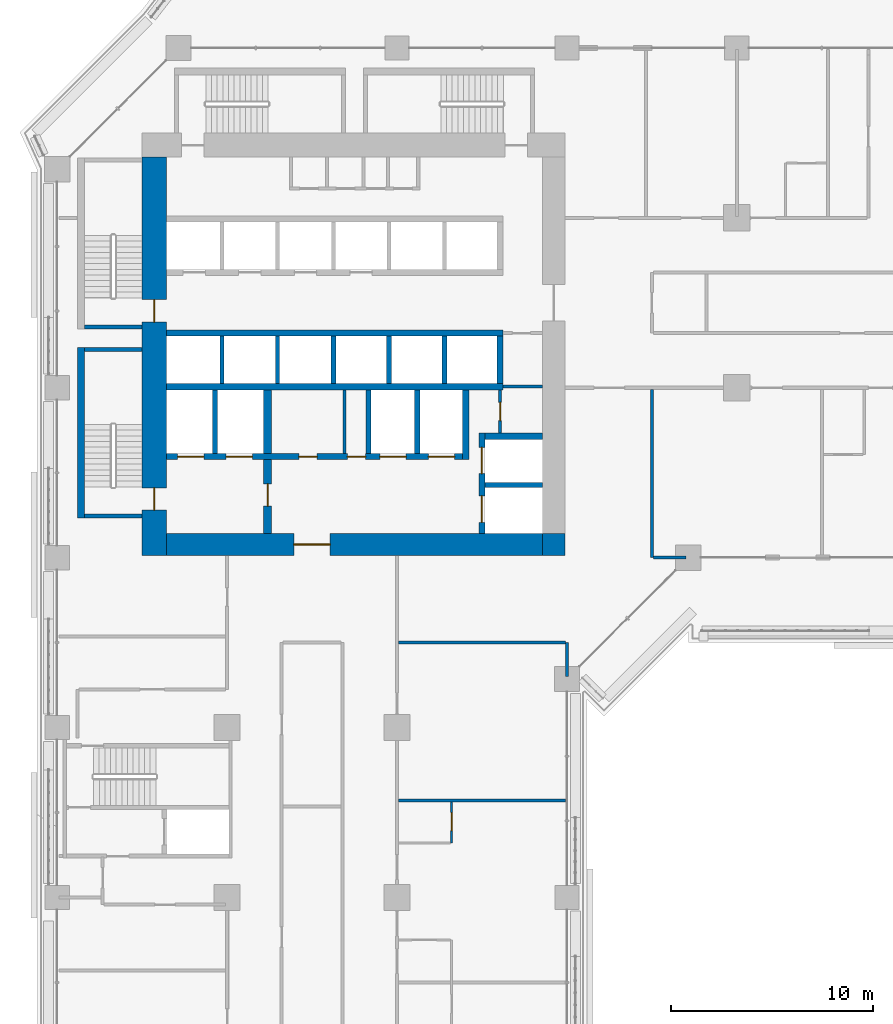
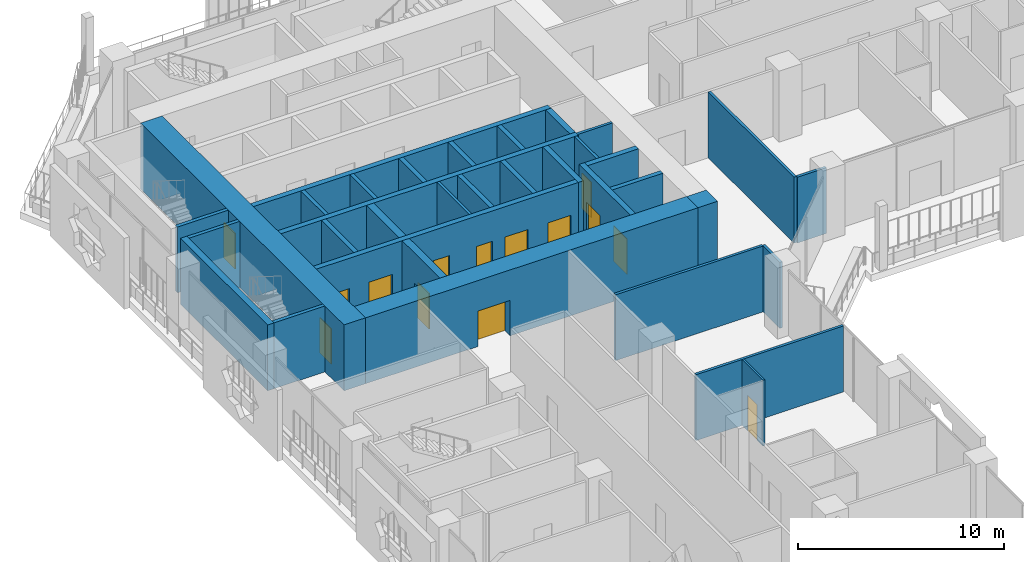
# One storey, part 15 of 28: 34 walls, 14 doors, 14 openings.
"""IFC4 building model written with IfcOpenShell, lengths in metres."""

from ifc_helpers import new_model, si_unit, direction, frame, frame_2d, origin, place, context, subcontext, project, spatial, rectangle, extrude, material, layer, layer_set, type_object, element, fill, save


model = new_model("IFC4")

# Units and contexts
model_context = context("Model", 3, precision=1e-05, world=origin(), true_north=direction((0.0, 1.0)))
body_context = subcontext(model_context, "Body", "Model", "MODEL_VIEW")
ifc_project = project(units=[si_unit("LENGTHUNIT", "METRE"), si_unit("AREAUNIT", "SQUARE_METRE"), si_unit("VOLUMEUNIT", "CUBIC_METRE"), si_unit("PLANEANGLEUNIT", "RADIAN"), si_unit("MASSUNIT", "GRAM", prefix="KILO")], contexts=[model_context])

# Site, building, storey
site_placement = place(None, origin())
site = spatial("IfcSite", under=ifc_project, at=site_placement, CompositionType="ELEMENT")
building_placement = place(site_placement, origin())
building = spatial("IfcBuilding", under=site, at=building_placement, Name="Kawkab Arch Medical Tower", CompositionType="ELEMENT")
storey_placement = place(building_placement, frame((0.0, 0.0, 72.800048828125)))
storey = spatial("IfcBuildingStorey", under=building, at=storey_placement, Name="L16", CompositionType="ELEMENT", Elevation=72.800048828125)

# Wall, opening, door
ifc_material_1 = material(Name="Concrete C60/75", Category="concrete")
ifc_layer_1 = layer(ifc_material_1, 1.10009765625)
ifc_layer_set_1 = layer_set([ifc_layer_1], Name="Concrete C60/75")
wall_type_1 = type_object("IfcWallType", Name="Core ring wall 1100 C60/75", PredefinedType="SHEAR", material=ifc_layer_set_1)
wall_1_placement = place(storey_placement, frame((5.39990234375, -24.550048828125, 0.0), z_axis=(0.0, 0.0, 1.0), x_axis=(1.0, 0.0, 0.0)))
wall_1 = element("IfcWall", 1, at=wall_1_placement, inside=storey, type_object=wall_type_1, Name="L16 core wall", PredefinedType="SHEAR", context=body_context, shape_type="SweptSolid", body=[
    extrude(rectangle(XDim=18.60009765625, YDim=1.10009765625, at=frame_2d((9.300048828125, 0.0))), origin(), (0.0, 0.0, 1.0), 3.89990234375),
])
opening_1_placement = place(wall_1_placement, frame((6.300048828125, 0.0, 0.0)))
opening_1 = element("IfcOpeningElement", 2, at=opening_1_placement, cuts=wall_1, Name="Opening PD", PredefinedType="OPENING", context=body_context, shape_type="SweptSolid", body=[
    extrude(rectangle(XDim=1.800048828125, YDim=2.10009765625, at=frame_2d((0.89990234375, 1.050048828125))), frame((0.0, 0.56005859375, 0.0), z_axis=(0.0, -1.0, 0.0), x_axis=(1.0, 0.0, 0.0)), (0.0, 0.0, 1.0), 1.1201171875),
])
ifc_material_2 = material(Name="Hollow metal fire door leaf")
door_type_1 = type_object("IfcDoorType", Name="Core entrance doors 1800", OperationType="DOUBLE_DOOR_SINGLE_SWING", PredefinedType="DOOR", material=ifc_material_2)
door_1_placement = place(opening_1_placement, origin())
door_1 = element("IfcDoor", 3, at=door_1_placement, inside=storey, type_object=door_type_1, Name="L16 South entrance doors", OperationType="DOUBLE_DOOR_SINGLE_SWING", OverallHeight=2.10009765625, OverallWidth=1.800048828125, PredefinedType="DOOR", context=body_context, shape_type="SweptSolid", body=[
    extrude(rectangle(XDim=1.800048828125, YDim=2.10009765625, at=frame_2d((0.89990234375, 1.050048828125))), frame((0.0, 0.02490234375, 0.0), z_axis=(0.0, -1.0, 0.0), x_axis=(1.0, 0.0, 0.0)), (0.0, 0.0, 1.0), 0.050048828125),
])
fill(opening_1, door_1)

# Wall
wall_2_placement = place(storey_placement, frame((24.550048828125, -25.10009765625, 0.0), z_axis=(0.0, 0.0, 1.0), x_axis=(0.0, 1.0, 0.0)))
element("IfcWall", 4, at=wall_2_placement, inside=storey, type_object=wall_type_1, Name="L16 core wall", PredefinedType="SHEAR", context=body_context, shape_type="SweptSolid", body=[
    extrude(rectangle(XDim=1.10009765625, YDim=1.10009765625, at=frame_2d((0.550048828125, 0.0))), origin(), (0.0, 0.0, 1.0), 3.89990234375),
])

# Wall, openings, doors
ifc_material_3 = material(Name="Concrete C60/75", Category="concrete")
ifc_layer_2 = layer(ifc_material_3, 1.199951171875)
ifc_layer_set_2 = layer_set([ifc_layer_2], Name="Concrete C60/75")
wall_type_2 = type_object("IfcWallType", Name="Core ring wall 1200 C60/75", PredefinedType="SHEAR", material=ifc_layer_set_2)
wall_3_placement = place(storey_placement, frame((4.800048828125, -25.10009765625, 0.0), z_axis=(0.0, 0.0, 1.0), x_axis=(0.0, 1.0, 0.0)))
wall_3 = element("IfcWall", 5, at=wall_3_placement, inside=storey, type_object=wall_type_2, Name="L16 core wall", PredefinedType="SHEAR", context=body_context, shape_type="SweptSolid", body=[
    extrude(rectangle(XDim=19.7001953125, YDim=1.199951171875, at=frame_2d((9.85009765625, 0.0))), origin(), (0.0, 0.0, 1.0), 3.89990234375),
])
opening_2_placement = place(wall_3_placement, frame((11.550048828125, 0.0, 0.0)))
opening_2 = element("IfcOpeningElement", 6, at=opening_2_placement, cuts=wall_3, Name="Opening SD", PredefinedType="OPENING", context=body_context, shape_type="SweptSolid", body=[
    extrude(rectangle(XDim=1.10009765625, YDim=2.10009765625, at=frame_2d((0.550048828125, 1.050048828125))), frame((0.0, 0.60986328125, 0.0), z_axis=(0.0, -1.0, 0.0), x_axis=(1.0, 0.0, 0.0)), (0.0, 0.0, 1.0), 1.219970703125),
])
opening_3_placement = place(wall_3_placement, frame((2.25, 0.0, 0.0)))
opening_3 = element("IfcOpeningElement", 7, at=opening_3_placement, cuts=wall_3, Name="Opening SD", PredefinedType="OPENING", context=body_context, shape_type="SweptSolid", body=[
    extrude(rectangle(XDim=1.10009765625, YDim=2.10009765625, at=frame_2d((0.550048828125, 1.050048828125))), frame((0.0, 0.60986328125, 0.0), z_axis=(0.0, -1.0, 0.0), x_axis=(1.0, 0.0, 0.0)), (0.0, 0.0, 1.0), 1.219970703125),
])
ifc_material_4 = material(Name="Hollow metal fire door leaf")
door_type_2 = type_object("IfcDoorType", Name="Exit stair door 1100", OperationType="SINGLE_SWING_LEFT", PredefinedType="DOOR", material=ifc_material_4)
door_2_placement = place(opening_2_placement, origin())
door_2 = element("IfcDoor", 8, at=door_2_placement, inside=storey, type_object=door_type_2, Name="L16 Exit stair ST1 door", OperationType="SINGLE_SWING_LEFT", OverallHeight=2.10009765625, OverallWidth=1.10009765625, PredefinedType="DOOR", context=body_context, shape_type="SweptSolid", body=[
    extrude(rectangle(XDim=1.10009765625, YDim=2.10009765625, at=frame_2d((0.550048828125, 1.050048828125))), frame((0.0, 0.02490234375, 0.0), z_axis=(0.0, -1.0, 0.0), x_axis=(1.0, 0.0, 0.0)), (0.0, 0.0, 1.0), 0.050048828125),
])
fill(opening_2, door_2)
door_3_placement = place(opening_3_placement, origin())
door_3 = element("IfcDoor", 9, at=door_3_placement, inside=storey, type_object=door_type_2, Name="L16 Exit stair ST2 door", OperationType="SINGLE_SWING_LEFT", OverallHeight=2.10009765625, OverallWidth=1.10009765625, PredefinedType="DOOR", context=body_context, shape_type="SweptSolid", body=[
    extrude(rectangle(XDim=1.10009765625, YDim=2.10009765625, at=frame_2d((0.550048828125, 1.050048828125))), frame((0.0, 0.02490234375, 0.0), z_axis=(0.0, -1.0, 0.0), x_axis=(1.0, 0.0, 0.0)), (0.0, 0.0, 1.0), 0.050048828125),
])
fill(opening_3, door_3)

# Wall, opening, door
ifc_material_5 = material(Name="Gypsum board on steel studs", Category="steel")
ifc_layer_3 = layer(ifc_material_5, 0.14990234375)
ifc_layer_set_3 = layer_set([ifc_layer_3], Name="Gypsum board on steel studs")
wall_type_3 = type_object("IfcWallType", Name="Core room partition 150", PredefinedType="PARTITIONING", material=ifc_layer_set_3)
wall_4_placement = place(storey_placement, frame((21.89990234375, -19.050048828125, 0.0), z_axis=(0.0, 0.0, 1.0), x_axis=(0.0, 1.0, 0.0)))
wall_4 = element("IfcWall", 10, at=wall_4_placement, inside=storey, type_object=wall_type_3, Name="L16 core room partition", PredefinedType="PARTITIONING", context=body_context, shape_type="SweptSolid", body=[
    extrude(rectangle(XDim=2.150146484375, YDim=0.14990234375, at=frame_2d((1.0751953125, 0.0))), origin(), (0.0, 0.0, 1.0), 3.89990234375),
])
opening_4_placement = place(wall_4_placement, frame((0.625, 0.0, 0.0)))
opening_4 = element("IfcOpeningElement", 11, at=opening_4_placement, cuts=wall_4, Name="Opening RD", PredefinedType="OPENING", context=body_context, shape_type="SweptSolid", body=[
    extrude(rectangle(XDim=0.89990234375, YDim=2.10009765625, at=frame_2d((0.449951171875, 1.050048828125))), frame((0.0, 0.0849609375, 0.0), z_axis=(0.0, -1.0, 0.0), x_axis=(1.0, 0.0, 0.0)), (0.0, 0.0, 1.0), 0.169921875),
])
ifc_material_6 = material(Name="Hollow metal fire door leaf")
door_type_3 = type_object("IfcDoorType", Name="Core room door 900", OperationType="SINGLE_SWING_LEFT", PredefinedType="DOOR", material=ifc_material_6)
door_4_placement = place(opening_4_placement, origin())
door_4 = element("IfcDoor", 12, at=door_4_placement, inside=storey, type_object=door_type_3, Name="L16 Staff WC door", OperationType="SINGLE_SWING_LEFT", OverallHeight=2.10009765625, OverallWidth=0.89990234375, PredefinedType="DOOR", context=body_context, shape_type="SweptSolid", body=[
    extrude(rectangle(XDim=0.89990234375, YDim=2.10009765625, at=frame_2d((0.449951171875, 1.050048828125))), frame((0.0, 0.02490234375, 0.0), z_axis=(0.0, -1.0, 0.0), x_axis=(1.0, 0.0, 0.0)), (0.0, 0.0, 1.0), 0.050048828125),
])
fill(opening_4, door_4)

# Walls
wall_5_placement = place(storey_placement, frame((22.050048828125, -16.75, 0.0), z_axis=(0.0, 0.0, 1.0), x_axis=(1.0, 0.0, 0.0)))
element("IfcWall", 13, at=wall_5_placement, inside=storey, type_object=wall_type_3, Name="L16 core room partition", PredefinedType="PARTITIONING", context=body_context, shape_type="SweptSolid", body=[
    extrude(rectangle(XDim=1.949951171875, YDim=0.14990234375, at=frame_2d((0.97509765625, 0.0))), origin(), (0.0, 0.0, 1.0), 3.89990234375),
])
wall_6_placement = place(storey_placement, frame((14.199951171875, -20.050048828125, 0.0), z_axis=(0.0, 0.0, 1.0), x_axis=(0.0, 1.0, 0.0)))
element("IfcWall", 14, at=wall_6_placement, inside=storey, type_object=wall_type_3, Name="L16 core room partition", PredefinedType="PARTITIONING", context=body_context, shape_type="SweptSolid", body=[
    extrude(rectangle(XDim=3.150146484375, YDim=0.14990234375, at=frame_2d((1.5751953125, 0.0))), origin(), (0.0, 0.0, 1.0), 3.89990234375),
])
ifc_material_7 = material(Name="Concrete C60/75", Category="concrete")
ifc_layer_4 = layer(ifc_material_7, 0.25)
ifc_layer_set_4 = layer_set([ifc_layer_4], Name="Concrete C60/75")
wall_type_4 = type_object("IfcWallType", Name="Core shear wall 250 C60/75", PredefinedType="SHEAR", material=ifc_layer_set_4)
wall_7_placement = place(storey_placement, frame((21.14990234375, -21.60009765625, 0.0), z_axis=(0.0, 0.0, 1.0), x_axis=(1.0, 0.0, 0.0)))
element("IfcWall", 15, at=wall_7_placement, inside=storey, type_object=wall_type_4, Name="L16 core shear wall", PredefinedType="SHEAR", context=body_context, shape_type="SweptSolid", body=[
    extrude(rectangle(XDim=2.85009765625, YDim=0.25, at=frame_2d((1.425048828125, 0.0))), origin(), (0.0, 0.0, 1.0), 3.89990234375),
])
for number, where, z_axis, x_axis, name in (
    (16, (7.800048828125, -20.050048828125, 0.0), (0.0, 0.0, 1.0), (0.0, 1.0, 0.0), "L16 core shear wall"),
    (17, (15.39990234375, -20.050048828125, 0.0), (0.0, 0.0, 1.0), (0.0, 1.0, 0.0), "L16 core shear wall"),
    (18, (17.800048828125, -20.050048828125, 0.0), (0.0, 0.0, 1.0), (0.0, 1.0, 0.0), "L16 core shear wall"),
):
    element("IfcWall", number, at=place(storey_placement, frame(where, z_axis=z_axis, x_axis=x_axis)), inside=storey, type_object=wall_type_4, Name=name, PredefinedType="SHEAR", context=body_context, shape_type="SweptSolid", body=[
        extrude(rectangle(XDim=3.150146484375, YDim=0.25, at=frame_2d((1.5751953125, 0.0))), origin(), (0.0, 0.0, 1.0), 3.89990234375),
    ])
for number, where, z_axis, x_axis, name in (
    (19, (13.64990234375, -16.60009765625, 0.0), (0.0, 0.0, 1.0), (0.0, 1.0, 0.0), "L16 core shear wall"),
    (20, (16.39990234375, -16.60009765625, 0.0), (0.0, 0.0, 1.0), (0.0, 1.0, 0.0), "L16 core shear wall"),
    (21, (19.14990234375, -16.60009765625, 0.0), (0.0, 0.0, 1.0), (0.0, 1.0, 0.0), "L16 core shear wall"),
):
    element("IfcWall", number, at=place(storey_placement, frame(where, z_axis=z_axis, x_axis=x_axis)), inside=storey, type_object=wall_type_4, Name=name, PredefinedType="SHEAR", context=body_context, shape_type="SweptSolid", body=[
        extrude(rectangle(XDim=2.35009765625, YDim=0.25, at=frame_2d((1.175048828125, 0.0))), origin(), (0.0, 0.0, 1.0), 3.89990234375),
    ])
ifc_material_8 = material(Name="Concrete C60/75", Category="concrete")
ifc_layer_5 = layer(ifc_material_8, 0.300048828125)
ifc_layer_set_5 = layer_set([ifc_layer_5], Name="Concrete C60/75")
wall_type_5 = type_object("IfcWallType", Name="Core shear wall 300 C60/75", PredefinedType="SHEAR", material=ifc_layer_set_5)
for number, where, z_axis, x_axis, name in (
    (22, (5.39990234375, -14.10009765625, 0.0), (0.0, 0.0, 1.0), (1.0, 0.0, 0.0), "L16 core shear wall"),
    (23, (5.39990234375, -16.75, 0.0), (0.0, 0.0, 1.0), (1.0, 0.0, 0.0), "L16 core shear wall"),
):
    element("IfcWall", number, at=place(storey_placement, frame(where, z_axis=z_axis, x_axis=x_axis)), inside=storey, type_object=wall_type_5, Name=name, PredefinedType="SHEAR", context=body_context, shape_type="SweptSolid", body=[
        extrude(rectangle(XDim=16.650146484375, YDim=0.300048828125, at=frame_2d((8.3251953125, 0.0))), origin(), (0.0, 0.0, 1.0), 3.89990234375),
    ])

# Wall, openings, doors
wall_8_placement = place(storey_placement, frame((5.39990234375, -20.199951171875, 0.0), z_axis=(0.0, 0.0, 1.0), x_axis=(1.0, 0.0, 0.0)))
wall_8 = element("IfcWall", 24, at=wall_8_placement, inside=storey, type_object=wall_type_5, Name="L16 core shear wall", PredefinedType="SHEAR", context=body_context, shape_type="SweptSolid", body=[
    extrude(rectangle(XDim=14.650146484375, YDim=0.300048828125, at=frame_2d((7.3251953125, 0.0))), origin(), (0.0, 0.0, 1.0), 3.89990234375),
])
opening_5_placement = place(wall_8_placement, frame((10.550048828125, 0.0, 0.0)))
opening_5 = element("IfcOpeningElement", 25, at=opening_5_placement, cuts=wall_8, Name="Opening LD2", PredefinedType="OPENING", context=body_context, shape_type="SweptSolid", body=[
    extrude(rectangle(XDim=1.300048828125, YDim=2.10009765625, at=frame_2d((0.64990234375, 1.050048828125))), frame((0.0, 0.159912109375, 0.0), z_axis=(0.0, -1.0, 0.0), x_axis=(1.0, 0.0, 0.0)), (0.0, 0.0, 1.0), 0.320068359375),
])
opening_6_placement = place(wall_8_placement, frame((12.949951171875, 0.0, 0.0)))
opening_6 = element("IfcOpeningElement", 26, at=opening_6_placement, cuts=wall_8, Name="Opening LD2", PredefinedType="OPENING", context=body_context, shape_type="SweptSolid", body=[
    extrude(rectangle(XDim=1.300048828125, YDim=2.10009765625, at=frame_2d((0.64990234375, 1.050048828125))), frame((0.0, 0.159912109375, 0.0), z_axis=(0.0, -1.0, 0.0), x_axis=(1.0, 0.0, 0.0)), (0.0, 0.0, 1.0), 0.320068359375),
])
opening_7_placement = place(wall_8_placement, frame((0.550048828125, 0.0, 0.0)))
opening_7 = element("IfcOpeningElement", 27, at=opening_7_placement, cuts=wall_8, Name="Opening LD2", PredefinedType="OPENING", context=body_context, shape_type="SweptSolid", body=[
    extrude(rectangle(XDim=1.300048828125, YDim=2.10009765625, at=frame_2d((0.64990234375, 1.050048828125))), frame((0.0, 0.159912109375, 0.0), z_axis=(0.0, -1.0, 0.0), x_axis=(1.0, 0.0, 0.0)), (0.0, 0.0, 1.0), 0.320068359375),
])
opening_8_placement = place(wall_8_placement, frame((2.949951171875, 0.0, 0.0)))
opening_8 = element("IfcOpeningElement", 28, at=opening_8_placement, cuts=wall_8, Name="Opening LD2", PredefinedType="OPENING", context=body_context, shape_type="SweptSolid", body=[
    extrude(rectangle(XDim=1.300048828125, YDim=2.10009765625, at=frame_2d((0.64990234375, 1.050048828125))), frame((0.0, 0.159912109375, 0.0), z_axis=(0.0, -1.0, 0.0), x_axis=(1.0, 0.0, 0.0)), (0.0, 0.0, 1.0), 0.320068359375),
])
opening_9_placement = place(wall_8_placement, frame((6.550048828125, 0.0, 0.0)))
opening_9 = element("IfcOpeningElement", 29, at=opening_9_placement, cuts=wall_8, Name="Opening RD", PredefinedType="OPENING", context=body_context, shape_type="SweptSolid", body=[
    extrude(rectangle(XDim=0.89990234375, YDim=2.10009765625, at=frame_2d((0.449951171875, 1.050048828125))), frame((0.0, 0.159912109375, 0.0), z_axis=(0.0, -1.0, 0.0), x_axis=(1.0, 0.0, 0.0)), (0.0, 0.0, 1.0), 0.320068359375),
])
opening_10_placement = place(wall_8_placement, frame((8.949951171875, 0.0, 0.0)))
opening_10 = element("IfcOpeningElement", 30, at=opening_10_placement, cuts=wall_8, Name="Opening RD", PredefinedType="OPENING", context=body_context, shape_type="SweptSolid", body=[
    extrude(rectangle(XDim=0.89990234375, YDim=2.10009765625, at=frame_2d((0.449951171875, 1.050048828125))), frame((0.0, 0.159912109375, 0.0), z_axis=(0.0, -1.0, 0.0), x_axis=(1.0, 0.0, 0.0)), (0.0, 0.0, 1.0), 0.320068359375),
])
door_5_placement = place(opening_9_placement, origin())
door_5 = element("IfcDoor", 31, at=door_5_placement, inside=storey, type_object=door_type_3, Name="L16 Medication store door", OperationType="SINGLE_SWING_LEFT", OverallHeight=2.10009765625, OverallWidth=0.89990234375, PredefinedType="DOOR", context=body_context, shape_type="SweptSolid", body=[
    extrude(rectangle(XDim=0.89990234375, YDim=2.10009765625, at=frame_2d((0.449951171875, 1.050048828125))), frame((0.0, 0.02490234375, 0.0), z_axis=(0.0, -1.0, 0.0), x_axis=(1.0, 0.0, 0.0)), (0.0, 0.0, 1.0), 0.050048828125),
])
fill(opening_9, door_5)
door_6_placement = place(opening_10_placement, origin())
door_6 = element("IfcDoor", 32, at=door_6_placement, inside=storey, type_object=door_type_3, Name="L16 Clean utility room door", OperationType="SINGLE_SWING_LEFT", OverallHeight=2.10009765625, OverallWidth=0.89990234375, PredefinedType="DOOR", context=body_context, shape_type="SweptSolid", body=[
    extrude(rectangle(XDim=0.89990234375, YDim=2.10009765625, at=frame_2d((0.449951171875, 1.050048828125))), frame((0.0, 0.02490234375, 0.0), z_axis=(0.0, -1.0, 0.0), x_axis=(1.0, 0.0, 0.0)), (0.0, 0.0, 1.0), 0.050048828125),
])
fill(opening_10, door_6)
ifc_material_9 = material(Name="Stainless steel lift door leaf", Category="steel")
door_type_4 = type_object("IfcDoorType", Name="Lift landing door 1300", OperationType="DOUBLE_DOOR_SLIDING", PredefinedType="DOOR", material=ifc_material_9)
door_7_placement = place(opening_5_placement, origin())
door_7 = element("IfcDoor", 33, at=door_7_placement, inside=storey, type_object=door_type_4, Name="L16 Lift landing door BD3", OperationType="DOUBLE_DOOR_SLIDING", OverallHeight=2.10009765625, OverallWidth=1.300048828125, PredefinedType="DOOR", context=body_context, shape_type="SweptSolid", body=[
    extrude(rectangle(XDim=1.300048828125, YDim=2.10009765625, at=frame_2d((0.64990234375, 1.050048828125))), frame((0.0, 0.02490234375, 0.0), z_axis=(0.0, -1.0, 0.0), x_axis=(1.0, 0.0, 0.0)), (0.0, 0.0, 1.0), 0.050048828125),
])
fill(opening_5, door_7)
door_8_placement = place(opening_6_placement, origin())
door_8 = element("IfcDoor", 34, at=door_8_placement, inside=storey, type_object=door_type_4, Name="L16 Lift landing door BD4", OperationType="DOUBLE_DOOR_SLIDING", OverallHeight=2.10009765625, OverallWidth=1.300048828125, PredefinedType="DOOR", context=body_context, shape_type="SweptSolid", body=[
    extrude(rectangle(XDim=1.300048828125, YDim=2.10009765625, at=frame_2d((0.64990234375, 1.050048828125))), frame((0.0, 0.02490234375, 0.0), z_axis=(0.0, -1.0, 0.0), x_axis=(1.0, 0.0, 0.0)), (0.0, 0.0, 1.0), 0.050048828125),
])
fill(opening_6, door_8)
door_9_placement = place(opening_7_placement, origin())
door_9 = element("IfcDoor", 35, at=door_9_placement, inside=storey, type_object=door_type_4, Name="L16 Lift landing door FL1", OperationType="DOUBLE_DOOR_SLIDING", OverallHeight=2.10009765625, OverallWidth=1.300048828125, PredefinedType="DOOR", context=body_context, shape_type="SweptSolid", body=[
    extrude(rectangle(XDim=1.300048828125, YDim=2.10009765625, at=frame_2d((0.64990234375, 1.050048828125))), frame((0.0, 0.02490234375, 0.0), z_axis=(0.0, -1.0, 0.0), x_axis=(1.0, 0.0, 0.0)), (0.0, 0.0, 1.0), 0.050048828125),
])
fill(opening_7, door_9)
door_10_placement = place(opening_8_placement, origin())
door_10 = element("IfcDoor", 36, at=door_10_placement, inside=storey, type_object=door_type_4, Name="L16 Lift landing door FL2", OperationType="DOUBLE_DOOR_SLIDING", OverallHeight=2.10009765625, OverallWidth=1.300048828125, PredefinedType="DOOR", context=body_context, shape_type="SweptSolid", body=[
    extrude(rectangle(XDim=1.300048828125, YDim=2.10009765625, at=frame_2d((0.64990234375, 1.050048828125))), frame((0.0, 0.02490234375, 0.0), z_axis=(0.0, -1.0, 0.0), x_axis=(1.0, 0.0, 0.0)), (0.0, 0.0, 1.0), 0.050048828125),
])
fill(opening_8, door_10)

# Walls
wall_9_placement = place(storey_placement, frame((20.199951171875, -20.35009765625, 0.0), z_axis=(0.0, 0.0, 1.0), x_axis=(0.0, 1.0, 0.0)))
element("IfcWall", 37, at=wall_9_placement, inside=storey, type_object=wall_type_5, Name="L16 core shear wall", PredefinedType="SHEAR", context=body_context, shape_type="SweptSolid", body=[
    extrude(rectangle(XDim=3.4501953125, YDim=0.300048828125, at=frame_2d((1.72509765625, 0.0))), origin(), (0.0, 0.0, 1.0), 3.89990234375),
])
wall_10_placement = place(storey_placement, frame((21.89990234375, -16.60009765625, 0.0), z_axis=(0.0, 0.0, 1.0), x_axis=(0.0, 1.0, 0.0)))
element("IfcWall", 38, at=wall_10_placement, inside=storey, type_object=wall_type_5, Name="L16 core shear wall", PredefinedType="SHEAR", context=body_context, shape_type="SweptSolid", body=[
    extrude(rectangle(XDim=2.35009765625, YDim=0.300048828125, at=frame_2d((1.175048828125, 0.0))), origin(), (0.0, 0.0, 1.0), 3.89990234375),
])
wall_11_placement = place(storey_placement, frame((21.14990234375, -19.199951171875, 0.0), z_axis=(0.0, 0.0, 1.0), x_axis=(1.0, 0.0, 0.0)))
element("IfcWall", 39, at=wall_11_placement, inside=storey, type_object=wall_type_5, Name="L16 core shear wall", PredefinedType="SHEAR", context=body_context, shape_type="SweptSolid", body=[
    extrude(rectangle(XDim=2.85009765625, YDim=0.300048828125, at=frame_2d((1.425048828125, 0.0))), origin(), (0.0, 0.0, 1.0), 3.89990234375),
])

# Wall, openings, doors
wall_12_placement = place(storey_placement, frame((21.0, -24.0, 0.0), z_axis=(0.0, 0.0, 1.0), x_axis=(0.0, 1.0, 0.0)))
wall_12 = element("IfcWall", 40, at=wall_12_placement, inside=storey, type_object=wall_type_5, Name="L16 core shear wall", PredefinedType="SHEAR", context=body_context, shape_type="SweptSolid", body=[
    extrude(rectangle(XDim=4.949951171875, YDim=0.300048828125, at=frame_2d((2.47509765625, 0.0))), origin(), (0.0, 0.0, 1.0), 3.89990234375),
])
opening_11_placement = place(wall_12_placement, frame((2.949951171875, 0.0, 0.0)))
opening_11 = element("IfcOpeningElement", 41, at=opening_11_placement, cuts=wall_12, Name="Opening LD2", PredefinedType="OPENING", context=body_context, shape_type="SweptSolid", body=[
    extrude(rectangle(XDim=1.300048828125, YDim=2.10009765625, at=frame_2d((0.64990234375, 1.050048828125))), frame((0.0, 0.159912109375, 0.0), z_axis=(0.0, -1.0, 0.0), x_axis=(1.0, 0.0, 0.0)), (0.0, 0.0, 1.0), 0.320068359375),
])
opening_12_placement = place(wall_12_placement, frame((0.550048828125, 0.0, 0.0)))
opening_12 = element("IfcOpeningElement", 42, at=opening_12_placement, cuts=wall_12, Name="Opening LD2", PredefinedType="OPENING", context=body_context, shape_type="SweptSolid", body=[
    extrude(rectangle(XDim=1.300048828125, YDim=2.10009765625, at=frame_2d((0.64990234375, 1.050048828125))), frame((0.0, 0.159912109375, 0.0), z_axis=(0.0, -1.0, 0.0), x_axis=(1.0, 0.0, 0.0)), (0.0, 0.0, 1.0), 0.320068359375),
])
door_11_placement = place(opening_11_placement, origin())
door_11 = element("IfcDoor", 43, at=door_11_placement, inside=storey, type_object=door_type_4, Name="L16 Lift landing door BD1", OperationType="DOUBLE_DOOR_SLIDING", OverallHeight=2.10009765625, OverallWidth=1.300048828125, PredefinedType="DOOR", context=body_context, shape_type="SweptSolid", body=[
    extrude(rectangle(XDim=1.300048828125, YDim=2.10009765625, at=frame_2d((0.64990234375, 1.050048828125))), frame((0.0, 0.02490234375, 0.0), z_axis=(0.0, -1.0, 0.0), x_axis=(1.0, 0.0, 0.0)), (0.0, 0.0, 1.0), 0.050048828125),
])
fill(opening_11, door_11)
door_12_placement = place(opening_12_placement, origin())
door_12 = element("IfcDoor", 44, at=door_12_placement, inside=storey, type_object=door_type_4, Name="L16 Lift landing door BD2", OperationType="DOUBLE_DOOR_SLIDING", OverallHeight=2.10009765625, OverallWidth=1.300048828125, PredefinedType="DOOR", context=body_context, shape_type="SweptSolid", body=[
    extrude(rectangle(XDim=1.300048828125, YDim=2.10009765625, at=frame_2d((0.64990234375, 1.050048828125))), frame((0.0, 0.02490234375, 0.0), z_axis=(0.0, -1.0, 0.0), x_axis=(1.0, 0.0, 0.0)), (0.0, 0.0, 1.0), 0.050048828125),
])
fill(opening_12, door_12)

# Wall, opening, door
ifc_material_10 = material(Name="Concrete C60/75", Category="concrete")
ifc_layer_6 = layer(ifc_material_10, 0.39990234375)
ifc_layer_set_6 = layer_set([ifc_layer_6], Name="Concrete C60/75")
wall_type_6 = type_object("IfcWallType", Name="Core shear wall 400 C60/75", PredefinedType="SHEAR", material=ifc_layer_set_6)
wall_13_placement = place(storey_placement, frame((10.39990234375, -24.0, 0.0), z_axis=(0.0, 0.0, 1.0), x_axis=(0.0, 1.0, 0.0)))
wall_13 = element("IfcWall", 45, at=wall_13_placement, inside=storey, type_object=wall_type_6, Name="L16 core shear wall", PredefinedType="SHEAR", context=body_context, shape_type="SweptSolid", body=[
    extrude(rectangle(XDim=3.64990234375, YDim=0.39990234375, at=frame_2d((1.824951171875, 0.0))), origin(), (0.0, 0.0, 1.0), 3.89990234375),
])
opening_13_placement = place(wall_13_placement, frame((1.35009765625, 0.0, 0.0)))
opening_13 = element("IfcOpeningElement", 46, at=opening_13_placement, cuts=wall_13, Name="Opening FD", PredefinedType="OPENING", context=body_context, shape_type="SweptSolid", body=[
    extrude(rectangle(XDim=1.10009765625, YDim=2.10009765625, at=frame_2d((0.550048828125, 1.050048828125))), frame((0.0, 0.2099609375, 0.0), z_axis=(0.0, -1.0, 0.0), x_axis=(1.0, 0.0, 0.0)), (0.0, 0.0, 1.0), 0.419921875),
])
ifc_material_11 = material(Name="Hollow metal fire door leaf")
door_type_5 = type_object("IfcDoorType", Name="Firefighting lobby door 1100", OperationType="SINGLE_SWING_LEFT", PredefinedType="DOOR", material=ifc_material_11)
door_13_placement = place(opening_13_placement, origin())
door_13 = element("IfcDoor", 47, at=door_13_placement, inside=storey, type_object=door_type_5, Name="L16 Firefighting lobby door", OperationType="SINGLE_SWING_LEFT", OverallHeight=2.10009765625, OverallWidth=1.10009765625, PredefinedType="DOOR", context=body_context, shape_type="SweptSolid", body=[
    extrude(rectangle(XDim=1.10009765625, YDim=2.10009765625, at=frame_2d((0.550048828125, 1.050048828125))), frame((0.0, 0.02490234375, 0.0), z_axis=(0.0, -1.0, 0.0), x_axis=(1.0, 0.0, 0.0)), (0.0, 0.0, 1.0), 0.050048828125),
])
fill(opening_13, door_13)

# Walls
wall_14_placement = place(storey_placement, frame((10.39990234375, -20.050048828125, 0.0), z_axis=(0.0, 0.0, 1.0), x_axis=(0.0, 1.0, 0.0)))
element("IfcWall", 48, at=wall_14_placement, inside=storey, type_object=wall_type_6, Name="L16 core shear wall", PredefinedType="SHEAR", context=body_context, shape_type="SweptSolid", body=[
    extrude(rectangle(XDim=3.150146484375, YDim=0.39990234375, at=frame_2d((1.5751953125, 0.0))), origin(), (0.0, 0.0, 1.0), 3.89990234375),
])
ifc_material_12 = material(Name="Dense concrete blockwork", Category="masonry")
ifc_layer_7 = layer(ifc_material_12, 0.199951171875)
ifc_layer_set_7 = layer_set([ifc_layer_7], Name="Dense concrete blockwork")
wall_type_7 = type_object("IfcWallType", Name="Lift shaft partition 200", PredefinedType="PARTITIONING", material=ifc_layer_set_7)
for number, where, z_axis, x_axis, name in (
    (49, (8.14990234375, -16.60009765625, 0.0), (0.0, 0.0, 1.0), (0.0, 1.0, 0.0), "L16 lift shaft partition"),
    (50, (10.89990234375, -16.60009765625, 0.0), (0.0, 0.0, 1.0), (0.0, 1.0, 0.0), "L16 lift shaft partition"),
):
    element("IfcWall", number, at=place(storey_placement, frame(where, z_axis=z_axis, x_axis=x_axis)), inside=storey, type_object=wall_type_7, Name=name, PredefinedType="PARTITIONING", context=body_context, shape_type="SweptSolid", body=[
        extrude(rectangle(XDim=2.35009765625, YDim=0.199951171875, at=frame_2d((1.175048828125, 0.0))), origin(), (0.0, 0.0, 1.0), 3.89990234375),
    ])

# Wall, opening, door
ifc_material_13 = material(Name="Gypsum board partition on steel studs", Category="steel")
ifc_layer_8 = layer(ifc_material_13, 0.10009765625)
ifc_layer_set_8 = layer_set([ifc_layer_8], Name="Gypsum board partition on steel studs")
wall_type_8 = type_object("IfcWallType", Name="Partition 100", PredefinedType="PARTITIONING", material=ifc_layer_set_8)
wall_15_placement = place(storey_placement, frame((19.5, -39.300048828125, 0.0), z_axis=(0.0, 0.0, 1.0), x_axis=(0.0, 1.0, 0.0)))
wall_15 = element("IfcWall", 51, at=wall_15_placement, inside=storey, type_object=wall_type_8, Name="Partition 100 w025", PredefinedType="PARTITIONING", context=body_context, shape_type="SweptSolid", body=[
    extrude(rectangle(XDim=2.025146484375, YDim=0.10009765625, at=frame_2d((1.0126953125, 0.0))), origin(), (0.0, 0.0, 1.0), 3.89990234375),
])
opening_14_placement = place(wall_15_placement, frame((0.60009765625, 0.0, 0.0)))
opening_14 = element("IfcOpeningElement", 52, at=opening_14_placement, cuts=wall_15, Name="Opening W11-022", PredefinedType="OPENING", context=body_context, shape_type="SweptSolid", body=[
    extrude(rectangle(XDim=0.89990234375, YDim=2.10009765625, at=frame_2d((0.449951171875, 1.050048828125))), frame((0.0, 0.06005859375, 0.0), z_axis=(0.0, -1.0, 0.0), x_axis=(1.0, 0.0, 0.0)), (0.0, 0.0, 1.0), 0.1201171875),
])
ifc_material_14 = material(Name="Timber door leaf", Category="wood")
door_type_6 = type_object("IfcDoorType", Name="Single door 900x2100", OperationType="NOTDEFINED", PredefinedType="DOOR", material=ifc_material_14)
door_14_placement = place(opening_14_placement, origin())
door_14 = element("IfcDoor", 53, at=door_14_placement, inside=storey, type_object=door_type_6, Name="Door W11-022", OperationType="SINGLE_SWING_LEFT", OverallHeight=2.10009765625, OverallWidth=0.89990234375, PredefinedType="DOOR", context=body_context, shape_type="SweptSolid", body=[
    extrude(rectangle(XDim=0.89990234375, YDim=2.10009765625, at=frame_2d((0.449951171875, 1.050048828125))), frame((0.0, 0.02490234375, 0.0), z_axis=(0.0, -1.0, 0.0), x_axis=(1.0, 0.0, 0.0)), (0.0, 0.0, 1.0), 0.050048828125),
])
fill(opening_14, door_14)

# Walls
ifc_material_15 = material(Name="Gypsum board partition on steel studs, mineral wool", Category="steel")
ifc_layer_9 = layer(ifc_material_15, 0.14990234375)
ifc_layer_set_9 = layer_set([ifc_layer_9], Name="Gypsum board partition on steel studs, mineral wool")
wall_type_9 = type_object("IfcWallType", Name="Partition 150", PredefinedType="PARTITIONING", material=ifc_layer_set_9)
wall_16_placement = place(storey_placement, frame((16.875, -37.199951171875, 0.0), z_axis=(0.0, 0.0, 1.0), x_axis=(1.0, 0.0, 0.0)))
element("IfcWall", 54, at=wall_16_placement, inside=storey, type_object=wall_type_9, Name="Partition 150 w056", PredefinedType="PARTITIONING", context=body_context, shape_type="SweptSolid", body=[
    extrude(rectangle(XDim=8.2451171875, YDim=0.14990234375, at=frame_2d((4.12255859375, 0.0))), origin(), (0.0, 0.0, 1.0), 3.89990234375),
])
wall_17_placement = place(storey_placement, frame((16.875, -29.39990234375, 0.0), z_axis=(0.0, 0.0, 1.0), x_axis=(1.0, 0.0, 0.0)))
element("IfcWall", 55, at=wall_17_placement, inside=storey, type_object=wall_type_9, Name="Partition 150 w059", PredefinedType="PARTITIONING", context=body_context, shape_type="SweptSolid", body=[
    extrude(rectangle(XDim=8.25, YDim=0.14990234375, at=frame_2d((4.125, 0.0))), origin(), (0.0, 0.0, 1.0), 3.89990234375),
])
wall_18_placement = place(storey_placement, frame((29.47509765625, -25.199951171875, 0.0), z_axis=(0.0, 0.0, 1.0), x_axis=(1.0, 0.0, 0.0)))
element("IfcWall", 56, at=wall_18_placement, inside=storey, type_object=wall_type_9, Name="Partition 150 w061", PredefinedType="PARTITIONING", context=body_context, shape_type="SweptSolid", body=[
    extrude(rectangle(XDim=1.61181640625, YDim=0.14990234375, at=frame_2d((0.805908203125, 0.0))), origin(), (0.0, 0.0, 1.0), 3.89990234375),
])
wall_19_placement = place(storey_placement, frame((25.199951171875, -31.0869140625, 0.0), z_axis=(0.0, 0.0, 1.0), x_axis=(0.0, 1.0, 0.0)))
element("IfcWall", 57, at=wall_19_placement, inside=storey, type_object=wall_type_9, Name="Partition 150 w078", PredefinedType="PARTITIONING", context=body_context, shape_type="SweptSolid", body=[
    extrude(rectangle(XDim=1.68701171875, YDim=0.14990234375, at=frame_2d((0.843505859375, 0.0))), origin(), (0.0, 0.0, 1.0), 3.89990234375),
])
wall_20_placement = place(storey_placement, frame((29.39990234375, -25.199951171875, 0.0), z_axis=(0.0, 0.0, 1.0), x_axis=(0.0, 1.0, 0.0)))
element("IfcWall", 58, at=wall_20_placement, inside=storey, type_object=wall_type_9, Name="Partition 150 w080", PredefinedType="PARTITIONING", context=body_context, shape_type="SweptSolid", body=[
    extrude(rectangle(XDim=8.324951171875, YDim=0.14990234375, at=frame_2d((4.16259765625, 0.0))), origin(), (0.0, 0.0, 1.0), 3.89990234375),
])
ifc_material_16 = material(Name="Concrete C50/60", Category="concrete")
ifc_layer_10 = layer(ifc_material_16, 0.199951171875)
ifc_layer_set_10 = layer_set([ifc_layer_10], Name="Concrete C50/60")
wall_type_10 = type_object("IfcWallType", Name="Stair enclosure wall 200 C50/60", PredefinedType="SHEAR", material=ifc_layer_set_10)
for number, where, z_axis, x_axis, name in (
    (59, (1.35009765625, -13.800048828125, 0.0), (0.0, 0.0, 1.0), (1.0, 0.0, 0.0), "L16 stair enclosure wall"),
    (60, (1.35009765625, -14.89990234375, 0.0), (0.0, 0.0, 1.0), (1.0, 0.0, 0.0), "L16 stair enclosure wall"),
    (61, (1.35009765625, -23.14990234375, 0.0), (0.0, 0.0, 1.0), (1.0, 0.0, 0.0), "L16 stair enclosure wall"),
):
    element("IfcWall", number, at=place(storey_placement, frame(where, z_axis=z_axis, x_axis=x_axis)), inside=storey, type_object=wall_type_10, Name=name, PredefinedType="SHEAR", context=body_context, shape_type="SweptSolid", body=[
        extrude(rectangle(XDim=2.849853515625, YDim=0.199951171875, at=frame_2d((1.4248046875, 0.0))), origin(), (0.0, 0.0, 1.0), 3.89990234375),
    ])
ifc_material_17 = material(Name="Concrete C50/60", Category="concrete")
ifc_layer_11 = layer(ifc_material_17, 0.35009765625)
ifc_layer_set_11 = layer_set([ifc_layer_11], Name="Concrete C50/60")
wall_type_11 = type_object("IfcWallType", Name="Stair enclosure wall 350 C50/60", PredefinedType="SHEAR", material=ifc_layer_set_11)
wall_21_placement = place(storey_placement, frame((1.175048828125, -23.25, 0.0), z_axis=(0.0, 0.0, 1.0), x_axis=(0.0, 1.0, 0.0)))
element("IfcWall", 62, at=wall_21_placement, inside=storey, type_object=wall_type_11, Name="L16 stair enclosure wall", PredefinedType="SHEAR", context=body_context, shape_type="SweptSolid", body=[
    extrude(rectangle(XDim=8.449951171875, YDim=0.35009765625, at=frame_2d((4.22509765625, 0.0))), origin(), (0.0, 0.0, 1.0), 3.89990234375),
])

save(model, "model.ifc")
